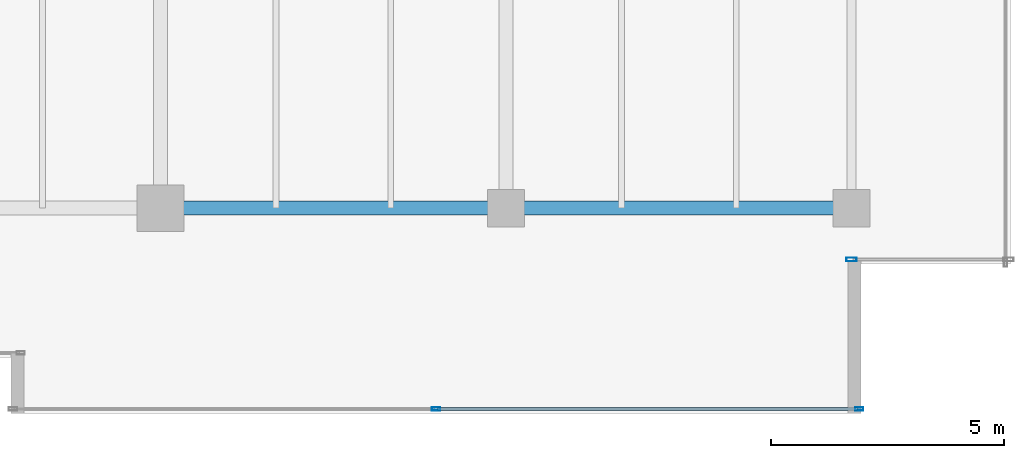
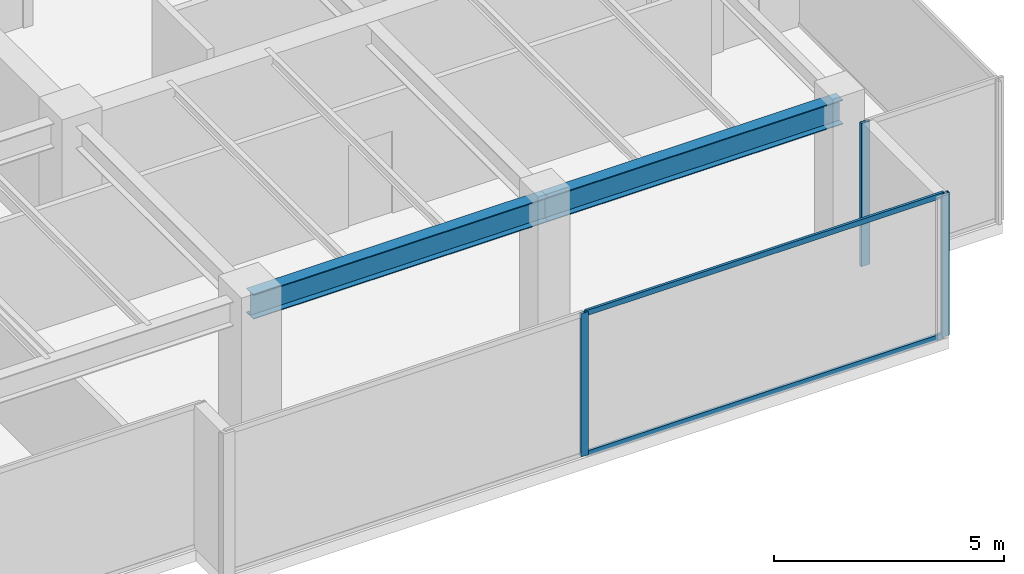
# One storey, part 13 of 33: 5 members, 2 beams, 2 elements without a shape of their own.
"""IFC4 building model written with IfcOpenShell, lengths in metres."""

from ifc_helpers import new_model, si_unit, direction, frame, origin, origin_2d, place, context, subcontext, project, spatial, hollow_rectangle, i_section, extrude, source, transform, mapped, material, layer, layer_set, material_profile, profile_set, type_object, type_shapes, element, aggregate, save


model = new_model("IFC4")

# Units and contexts
model_context = context("Model", 3, precision=1e-05, world=origin(), true_north=direction((0.0, 1.0)))
body_context = subcontext(model_context, "Body", "Model", "MODEL_VIEW")
ifc_project = project(units=[si_unit("LENGTHUNIT", "METRE"), si_unit("AREAUNIT", "SQUARE_METRE"), si_unit("VOLUMEUNIT", "CUBIC_METRE"), si_unit("PLANEANGLEUNIT", "RADIAN"), si_unit("MASSUNIT", "GRAM", prefix="KILO")], contexts=[model_context])

# Site, building, storey
site_placement = place(None, origin())
site = spatial("IfcSite", under=ifc_project, at=site_placement, CompositionType="ELEMENT")
building_placement = place(site_placement, origin())
building = spatial("IfcBuilding", under=site, at=building_placement, Name="Haelvirn Gate Laboratories", CompositionType="ELEMENT")
storey_placement = place(building_placement, frame((0.0, 0.0, 250.60009765625)))
storey = spatial("IfcBuildingStorey", under=building, at=storey_placement, Name="L60", CompositionType="ELEMENT", Elevation=250.60009765625)

# Beams
ifc_material_1 = material(Name="Steel SM355", Category="steel")
ifc_material_profile_1 = material_profile(ifc_material_1, i_section(OverallWidth=0.300048828125, OverallDepth=0.64990234375, WebThickness=0.012939453125, FlangeThickness=0.02197265625, at=origin_2d()), Name="H-650x300x13x22")
ifc_profile_set_1 = profile_set([ifc_material_profile_1], Name="Steel SM355")
beam_type = type_object("IfcBeamType", Name="BM-G-650", PredefinedType="BEAM", material=ifc_profile_set_1)
shared_shape_1 = source(origin(), body_context, "Body", "SweptSolid", [
    extrude(i_section(OverallWidth=0.300048828125, OverallDepth=0.64990234375, WebThickness=0.012939453125, FlangeThickness=0.02197265625, at=origin_2d()), origin(), (0.0, 0.0, 1.0), 7.39990234375),
])
type_shapes(beam_type, [shared_shape_1])
for number, where, z_axis, x_axis, name in (
    (1, (52.60009765625, 7.0, 3.474853515625), (1.0, 0.0, 0.0), (0.0, 1.0, 0.0), "L60 Primary Girder Y7.0 (52.6-60.0)"),
    (2, (60.0, 7.0, 3.474853515625), (1.0, 0.0, 0.0), (0.0, 1.0, 0.0), "L60 Primary Girder Y7.0 (60.0-67.4)"),
):
    element("IfcBeam", number, at=place(storey_placement, frame(where, z_axis=z_axis, x_axis=x_axis)), inside=storey, type_object=beam_type, Name=name, PredefinedType="BEAM", context=body_context, shape_type="MappedRepresentation", body=[
        mapped(shared_shape_1, transform((0.0, 0.0, 0.0), scale=1.0)),
    ])

# Curtain wall, members
ifc_material_2 = material(Name="Anodised bronze unitised aluminium & triple low-E glass", Category="aluminium")
ifc_layer_1 = layer(ifc_material_2, 0.176025390625, Name="CW-SYS-4")
ifc_layer_set_1 = layer_set([ifc_layer_1], Name="Anodised bronze unitised aluminium & triple low-E glass")
curtain_wall_type_1 = type_object("IfcCurtainWallType", Name="CW-SYS-4", PredefinedType="NOTDEFINED", material=ifc_layer_set_1)
curtain_wall_1_placement = place(storey_placement, origin())
curtain_wall_1 = element("IfcCurtainWall", 3, at=curtain_wall_1_placement, inside=storey, type_object=curtain_wall_type_1, Name="L60 Unitised Curtain Wall CW-L60-P0-E04-1", PredefinedType="NOTDEFINED")
ifc_material_3 = material(Name="Extruded aluminium 6063-T6 (anodised bronze)", Category="aluminium")
ifc_material_profile_2 = material_profile(ifc_material_3, hollow_rectangle(XDim=0.06494140625, YDim=0.139892578125, WallThickness=0.00390625, at=origin_2d()), Name="CWT-140x65x4")
ifc_profile_set_2 = profile_set([ifc_material_profile_2], Name="Extruded aluminium 6063-T6 (anodised bronze)")
member_type_1 = type_object("IfcMemberType", Name="CWT-T140", PredefinedType="USERDEFINED", material=ifc_profile_set_2)
shared_shape_2 = source(origin(), body_context, "Body", "SweptSolid", [
    extrude(hollow_rectangle(XDim=0.06494140625, YDim=0.139892578125, WallThickness=0.00390625, at=origin_2d()), origin(), (0.0, 0.0, 1.0), 8.9951171875),
])
type_shapes(member_type_1, [shared_shape_2])
member_1_placement = place(storey_placement, frame((58.534912109375, 2.699951171875, 0.032470703125), z_axis=(1.0, 0.0, 0.0), x_axis=(0.0, 1.0, 0.0)))
member_1 = element("IfcMember", 4, at=member_1_placement, type_object=member_type_1, Name="CW4 transom 2.1", ObjectType="TRANSOM", PredefinedType="USERDEFINED", context=body_context, shape_type="MappedRepresentation", body=[
    mapped(shared_shape_2, transform((0.0, 0.0, 0.0), scale=1.0)),
])
member_2_placement = place(storey_placement, frame((58.534912109375, 2.699951171875, 3.767333984375), z_axis=(1.0, 0.0, 0.0), x_axis=(0.0, 1.0, 0.0)))
member_2 = element("IfcMember", 5, at=member_2_placement, type_object=member_type_1, Name="CW4 transom 2.2", ObjectType="TRANSOM", PredefinedType="USERDEFINED", context=body_context, shape_type="MappedRepresentation", body=[
    mapped(shared_shape_2, transform((0.0, 0.0, 0.0), scale=1.0)),
])
ifc_material_profile_3 = material_profile(ifc_material_3, hollow_rectangle(XDim=0.070068359375, YDim=0.179931640625, WallThickness=0.0048828125, at=origin_2d()), Name="CWM-180x70x5")
ifc_profile_set_3 = profile_set([ifc_material_profile_3], Name="Extruded aluminium 6063-T6 (anodised bronze)")
member_type_2 = type_object("IfcMemberType", Name="CWM-T180", PredefinedType="MULLION", material=ifc_profile_set_3)
shared_shape_3 = source(origin(), body_context, "Body", "SweptSolid", [
    extrude(hollow_rectangle(XDim=0.070068359375, YDim=0.179931640625, WallThickness=0.0048828125, at=origin_2d()), origin(), (0.0, 0.0, 1.0), 3.7998046875),
])
type_shapes(member_type_2, [shared_shape_3])
member_3_placement = place(storey_placement, frame((58.5, 2.699951171875, 0.0), z_axis=(0.0, 0.0, 1.0), x_axis=(0.0, 1.0, 0.0)))
member_3 = element("IfcMember", 6, at=member_3_placement, type_object=member_type_2, Name="CW4 mullion 2", PredefinedType="MULLION", context=body_context, shape_type="MappedRepresentation", body=[
    mapped(shared_shape_3, transform((0.0, 0.0, 0.0), scale=1.0)),
])
member_4_placement = place(storey_placement, frame((67.56494140625, 2.699951171875, 0.0), z_axis=(0.0, 0.0, 1.0), x_axis=(0.0, 1.0, 0.0)))
member_4 = element("IfcMember", 7, at=member_4_placement, type_object=member_type_2, Name="CW4 mullion 3", PredefinedType="MULLION", context=body_context, shape_type="MappedRepresentation", body=[
    mapped(shared_shape_3, transform((0.0, 0.0, 0.0), scale=1.0)),
])
aggregate(curtain_wall_1, [member_3, member_4, member_1, member_2])

# Curtain wall, member
ifc_layer_2 = layer(ifc_material_2, 0.181884765625, Name="CW-SYS-5")
ifc_layer_set_2 = layer_set([ifc_layer_2], Name="Anodised bronze unitised aluminium & triple low-E glass")
curtain_wall_type_2 = type_object("IfcCurtainWallType", Name="CW-SYS-5", PredefinedType="NOTDEFINED", material=ifc_layer_set_2)
curtain_wall_2_placement = place(storey_placement, origin())
curtain_wall_2 = element("IfcCurtainWall", 8, at=curtain_wall_2_placement, inside=storey, type_object=curtain_wall_type_2, Name="L60 Unitised Curtain Wall CW-L60-P0-E06-1", PredefinedType="NOTDEFINED")
ifc_material_profile_4 = material_profile(ifc_material_3, hollow_rectangle(XDim=0.080078125, YDim=0.219970703125, WallThickness=0.006103515625, at=origin_2d()), Name="CWM-220x80x6")
ifc_profile_set_4 = profile_set([ifc_material_profile_4], Name="Extruded aluminium 6063-T6 (anodised bronze)")
member_type_3 = type_object("IfcMemberType", Name="CWM-T220", PredefinedType="MULLION", material=ifc_profile_set_4)
shared_shape_4 = source(origin(), body_context, "Body", "SweptSolid", [
    extrude(hollow_rectangle(XDim=0.080078125, YDim=0.219970703125, WallThickness=0.006103515625, at=origin_2d()), origin(), (0.0, 0.0, 1.0), 3.7998046875),
])
type_shapes(member_type_3, [shared_shape_4])
member_5_placement = place(storey_placement, frame((67.39990234375, 5.89990234375, 0.0), z_axis=(0.0, 0.0, 1.0), x_axis=(0.0, 1.0, 0.0)))
member_5 = element("IfcMember", 9, at=member_5_placement, type_object=member_type_3, Name="CW5 mullion 1", PredefinedType="MULLION", context=body_context, shape_type="MappedRepresentation", body=[
    mapped(shared_shape_4, transform((0.0, 0.0, 0.0), scale=1.0)),
])
aggregate(curtain_wall_2, [member_5])

save(model, "model.ifc")
